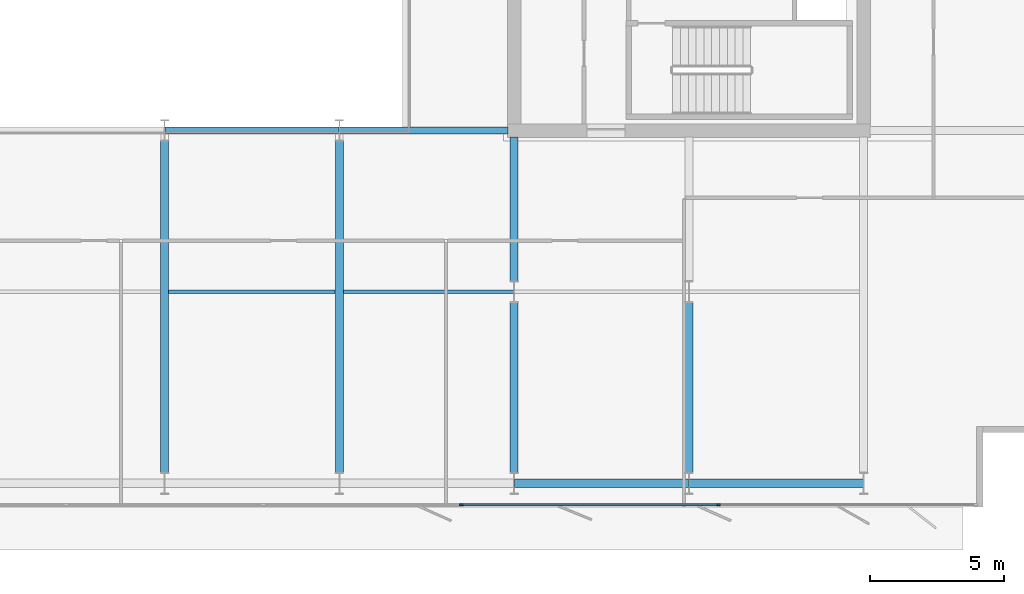
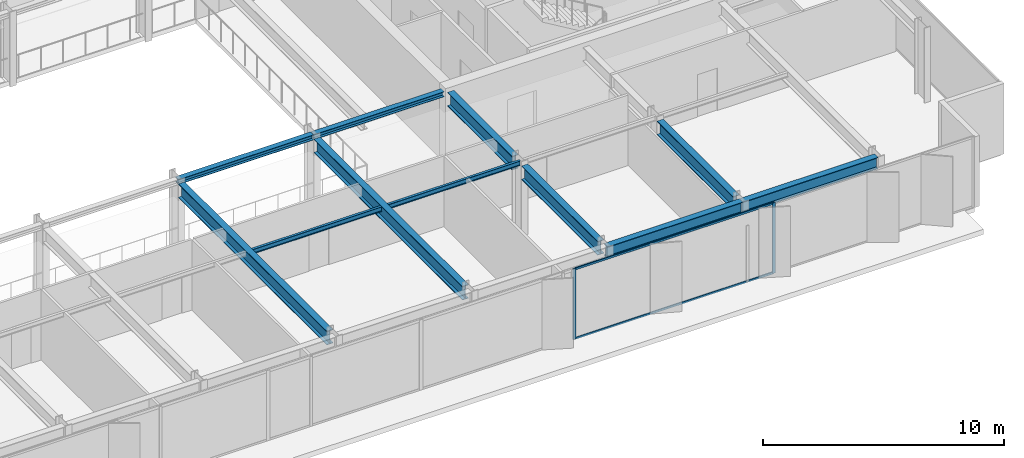
# One storey, part 7 of 23: 11 beams, 4 members, 1 element without a shape of its own.
"""IFC4 building model written with IfcOpenShell, lengths in metres."""

from ifc_helpers import new_model, si_unit, direction, frame, origin, origin_2d, place, context, subcontext, project, spatial, rectangle, i_section, extrude, material, layer, layer_set, material_profile, profile_set, type_object, element, aggregate, save


model = new_model("IFC4")

# Units and contexts
model_context = context("Model", 3, precision=1e-05, world=origin(), true_north=direction((0.0, 1.0)))
body_context = subcontext(model_context, "Body", "Model", "MODEL_VIEW")
ifc_project = project(units=[si_unit("LENGTHUNIT", "METRE"), si_unit("AREAUNIT", "SQUARE_METRE"), si_unit("VOLUMEUNIT", "CUBIC_METRE"), si_unit("PLANEANGLEUNIT", "RADIAN"), si_unit("MASSUNIT", "GRAM", prefix="KILO")], contexts=[model_context])

# Site, building, storey
site_placement = place(None, origin())
site = spatial("IfcSite", under=ifc_project, at=site_placement, CompositionType="ELEMENT")
building_placement = place(site_placement, origin())
building = spatial("IfcBuilding", under=site, at=building_placement, Name="Putna Gate Headquarters", CompositionType="ELEMENT")
storey_placement = place(building_placement, frame((0.0, 0.0, 202.39990234375)))
storey = spatial("IfcBuildingStorey", under=building, at=storey_placement, Name="L50", CompositionType="ELEMENT", Elevation=202.39990234375)

# Beams
ifc_material_1 = material(Name="Steel S355J2", Category="steel")
ifc_material_profile_1 = material_profile(ifc_material_1, i_section(OverallWidth=0.260009765625, OverallDepth=0.260009765625, WebThickness=0.010009765625, FlangeThickness=0.017578125, at=origin_2d()), Name="Steel S355J2")
ifc_profile_set_1 = profile_set([ifc_material_profile_1], Name="Steel S355J2")
beam_type_1 = type_object("IfcBeamType", Name="BM-ATRIUM-HEB260", PredefinedType="BEAM", material=ifc_profile_set_1)
beam_1_placement = place(storey_placement, frame((39.006103515625, 19.0, 3.4501953125), z_axis=(1.0, 0.0, 0.0), x_axis=(0.0, 1.0, 0.0)))
element("IfcBeam", 1, at=beam_1_placement, inside=storey, type_object=beam_type_1, Name="L50 Atrium Edge Beam AS3", PredefinedType="BEAM", context=body_context, shape_type="SweptSolid", body=[
    extrude(i_section(OverallWidth=0.260009765625, OverallDepth=0.260009765625, WebThickness=0.010009765625, FlangeThickness=0.017578125, at=origin_2d()), origin(), (0.0, 0.0, 1.0), 6.48779296875),
])
beam_2_placement = place(storey_placement, frame((45.506103515625, 19.0, 3.4501953125), z_axis=(1.0, 0.0, 0.0), x_axis=(0.0, 1.0, 0.0)))
element("IfcBeam", 2, at=beam_2_placement, inside=storey, type_object=beam_type_1, Name="L50 Atrium Edge Beam AS4", PredefinedType="BEAM", context=body_context, shape_type="SweptSolid", body=[
    extrude(i_section(OverallWidth=0.260009765625, OverallDepth=0.260009765625, WebThickness=0.010009765625, FlangeThickness=0.017578125, at=origin_2d()), origin(), (0.0, 0.0, 1.0), 6.2587890625),
])
ifc_material_profile_2 = material_profile(ifc_material_1, i_section(OverallWidth=0.300048828125, OverallDepth=0.699951171875, WebThickness=0.01708984375, FlangeThickness=0.031982421875, at=origin_2d()), Name="Steel S355J2")
ifc_profile_set_2 = profile_set([ifc_material_profile_2], Name="Steel S355J2")
beam_type_2 = type_object("IfcBeamType", Name="BM-GIRD-B-HEB700", PredefinedType="USERDEFINED", material=ifc_profile_set_2)
for number, where, z_axis, x_axis, name in (
    (3, (39.0, 6.27490234375, 3.22998046875), (0.0, 1.0, 0.0), (-1.0, 0.0, 0.0), "L50 South Primary Girder X39"),
    (4, (45.5, 6.27490234375, 3.22998046875), (0.0, 1.0, 0.0), (-1.0, 0.0, 0.0), "L50 South Primary Girder X45"),
):
    element("IfcBeam", number, at=place(storey_placement, frame(where, z_axis=z_axis, x_axis=x_axis)), inside=storey, type_object=beam_type_2, Name=name, ObjectType="GIRDER", PredefinedType="USERDEFINED", context=body_context, shape_type="SweptSolid", body=[
        extrude(i_section(OverallWidth=0.300048828125, OverallDepth=0.699951171875, WebThickness=0.01708984375, FlangeThickness=0.031982421875, at=origin_2d()), origin(), (0.0, 0.0, 1.0), 12.330078125),
    ])
beam_3_placement = place(storey_placement, frame((52.0, 6.27490234375, 3.22998046875), z_axis=(0.0, 1.0, 0.0), x_axis=(-1.0, 0.0, 0.0)))
element("IfcBeam", 5, at=beam_3_placement, inside=storey, type_object=beam_type_2, Name="L50 South Primary Girder X52-1", ObjectType="GIRDER", PredefinedType="USERDEFINED", context=body_context, shape_type="SweptSolid", body=[
    extrude(i_section(OverallWidth=0.300048828125, OverallDepth=0.699951171875, WebThickness=0.01708984375, FlangeThickness=0.031982421875, at=origin_2d()), origin(), (0.0, 0.0, 1.0), 6.330078125),
])
beam_4_placement = place(storey_placement, frame((52.0, 13.39501953125, 3.22998046875), z_axis=(0.0, 1.0, 0.0), x_axis=(-1.0, 0.0, 0.0)))
element("IfcBeam", 6, at=beam_4_placement, inside=storey, type_object=beam_type_2, Name="L50 South Primary Girder X52-2", ObjectType="GIRDER", PredefinedType="USERDEFINED", context=body_context, shape_type="SweptSolid", body=[
    extrude(i_section(OverallWidth=0.300048828125, OverallDepth=0.699951171875, WebThickness=0.01708984375, FlangeThickness=0.031982421875, at=origin_2d()), origin(), (0.0, 0.0, 1.0), 5.369873046875),
])
beam_5_placement = place(storey_placement, frame((58.5, 6.27490234375, 3.22998046875), z_axis=(0.0, 1.0, 0.0), x_axis=(-1.0, 0.0, 0.0)))
element("IfcBeam", 7, at=beam_5_placement, inside=storey, type_object=beam_type_2, Name="L50 South Primary Girder X58-1", ObjectType="GIRDER", PredefinedType="USERDEFINED", context=body_context, shape_type="SweptSolid", body=[
    extrude(i_section(OverallWidth=0.300048828125, OverallDepth=0.699951171875, WebThickness=0.01708984375, FlangeThickness=0.031982421875, at=origin_2d()), origin(), (0.0, 0.0, 1.0), 6.330078125),
])
ifc_material_profile_3 = material_profile(ifc_material_1, i_section(OverallWidth=0.1201171875, OverallDepth=0.239990234375, WebThickness=0.006103515625, FlangeThickness=0.009765625, at=origin_2d()), Name="Steel S355J2")
ifc_profile_set_3 = profile_set([ifc_material_profile_3], Name="Steel S355J2")
beam_type_3 = type_object("IfcBeamType", Name="BM-SEC-Z4-IPE240", PredefinedType="JOIST", material=ifc_profile_set_3)
beam_6_placement = place(storey_placement, frame((39.154052734375, 13.0, 3.460205078125), z_axis=(1.0, 0.0, 0.0), x_axis=(0.0, 1.0, 0.0)))
element("IfcBeam", 8, at=beam_6_placement, inside=storey, type_object=beam_type_3, Name="L50 South Secondary Beam 5", PredefinedType="JOIST", context=body_context, shape_type="SweptSolid", body=[
    extrude(i_section(OverallWidth=0.1201171875, OverallDepth=0.239990234375, WebThickness=0.006103515625, FlangeThickness=0.009765625, at=origin_2d()), origin(), (0.0, 0.0, 1.0), 6.19189453125),
])
beam_7_placement = place(storey_placement, frame((45.654052734375, 13.0, 3.460205078125), z_axis=(1.0, 0.0, 0.0), x_axis=(0.0, 1.0, 0.0)))
element("IfcBeam", 9, at=beam_7_placement, inside=storey, type_object=beam_type_3, Name="L50 South Secondary Beam 6", PredefinedType="JOIST", context=body_context, shape_type="SweptSolid", body=[
    extrude(i_section(OverallWidth=0.1201171875, OverallDepth=0.239990234375, WebThickness=0.006103515625, FlangeThickness=0.009765625, at=origin_2d()), origin(), (0.0, 0.0, 1.0), 6.33984375),
])
ifc_material_profile_4 = material_profile(ifc_material_1, i_section(OverallWidth=0.300048828125, OverallDepth=0.590087890625, WebThickness=0.012939453125, FlangeThickness=0.02490234375, at=origin_2d()), Name="Steel S355J2")
ifc_profile_set_4 = profile_set([ifc_material_profile_4], Name="Steel S355J2")
beam_type_4 = type_object("IfcBeamType", Name="BM-SPAN-Z4-HEA600", PredefinedType="SPANDREL", material=ifc_profile_set_4)
for number, where, z_axis, x_axis, name in (
    (10, (52.006103515625, 5.8798828125, 3.28515625), (1.0, 0.0, 0.0), (0.0, 1.0, 0.0), "L50 S Perimeter Spandrel 7"),
    (11, (58.506103515625, 5.8798828125, 3.28515625), (1.0, 0.0, 0.0), (0.0, 1.0, 0.0), "L50 S Perimeter Spandrel 8"),
):
    element("IfcBeam", number, at=place(storey_placement, frame(where, z_axis=z_axis, x_axis=x_axis)), inside=storey, type_object=beam_type_4, Name=name, PredefinedType="SPANDREL", context=body_context, shape_type="SweptSolid", body=[
        extrude(i_section(OverallWidth=0.300048828125, OverallDepth=0.590087890625, WebThickness=0.012939453125, FlangeThickness=0.02490234375, at=origin_2d()), origin(), (0.0, 0.0, 1.0), 6.48779296875),
    ])

# Curtain wall, members
ifc_material_2 = material(Name="Anodised bronze aluminium curtain wall", Category="aluminium")
ifc_layer = layer(ifc_material_2, 0.139892578125)
ifc_layer_set = layer_set([ifc_layer], Name="Anodised bronze aluminium curtain wall")
curtain_wall_type = type_object("IfcCurtainWallType", Name="CW-SYS-Z4", PredefinedType="USERDEFINED", material=ifc_layer_set)
curtain_wall_placement = place(storey_placement, origin())
curtain_wall = element("IfcCurtainWall", 12, at=curtain_wall_placement, inside=storey, type_object=curtain_wall_type, Name="L50 South East Curtain Wall", ObjectType="STICK CURTAIN WALL", PredefinedType="USERDEFINED")
ifc_material_3 = material(Name="Anodised bronze aluminium EN AW-6060", Category="aluminium")
ifc_material_profile_5 = material_profile(ifc_material_3, rectangle(XDim=0.06005859375, YDim=0.139892578125, at=origin_2d()), Name="Anodised bronze aluminium EN AW-6060")
ifc_profile_set_5 = profile_set([ifc_material_profile_5], Name="Anodised bronze aluminium EN AW-6060")
member_type_1 = type_object("IfcMemberType", Name="MULL-CWM-4", PredefinedType="MULLION", material=ifc_profile_set_5)
member_1_placement = place(storey_placement, frame((50.030029296875, 5.080078125, 0.0), z_axis=(0.0, 0.0, 1.0), x_axis=(0.0, 1.0, 0.0)))
member_1 = element("IfcMember", 13, at=member_1_placement, type_object=member_type_1, Name="CWS-4 mullion 1", PredefinedType="MULLION", context=body_context, shape_type="SweptSolid", body=[
    extrude(rectangle(XDim=0.06005859375, YDim=0.139892578125, at=origin_2d()), origin(), (0.0, 0.0, 1.0), 3.580078125),
])
member_2_placement = place(storey_placement, frame((59.60009765625, 5.080078125, 0.0), z_axis=(0.0, 0.0, 1.0), x_axis=(0.0, 1.0, 0.0)))
member_2 = element("IfcMember", 14, at=member_2_placement, type_object=member_type_1, Name="CWS-4 mullion 2", PredefinedType="MULLION", context=body_context, shape_type="SweptSolid", body=[
    extrude(rectangle(XDim=0.06005859375, YDim=0.139892578125, at=origin_2d()), origin(), (0.0, 0.0, 1.0), 3.580078125),
])
ifc_material_profile_6 = material_profile(ifc_material_3, rectangle(XDim=0.06005859375, YDim=0.10009765625, at=origin_2d()), Name="Anodised bronze aluminium EN AW-6060")
ifc_profile_set_6 = profile_set([ifc_material_profile_6], Name="Anodised bronze aluminium EN AW-6060")
member_type_2 = type_object("IfcMemberType", Name="TRAN-CWT-4", PredefinedType="USERDEFINED", material=ifc_profile_set_6)
member_3_placement = place(storey_placement, frame((50.06005859375, 5.080078125, 0.030029296875), z_axis=(1.0, 0.0, 0.0), x_axis=(0.0, 1.0, 0.0)))
member_3 = element("IfcMember", 15, at=member_3_placement, type_object=member_type_2, Name="CWS-4 transom 1.1", ObjectType="TRANSOM", PredefinedType="USERDEFINED", context=body_context, shape_type="SweptSolid", body=[
    extrude(rectangle(XDim=0.06005859375, YDim=0.10009765625, at=origin_2d()), origin(), (0.0, 0.0, 1.0), 9.510009765625),
])
member_4_placement = place(storey_placement, frame((50.06005859375, 5.080078125, 3.550048828125), z_axis=(1.0, 0.0, 0.0), x_axis=(0.0, 1.0, 0.0)))
member_4 = element("IfcMember", 16, at=member_4_placement, type_object=member_type_2, Name="CWS-4 transom 1.2", ObjectType="TRANSOM", PredefinedType="USERDEFINED", context=body_context, shape_type="SweptSolid", body=[
    extrude(rectangle(XDim=0.06005859375, YDim=0.10009765625, at=origin_2d()), origin(), (0.0, 0.0, 1.0), 9.510009765625),
])
aggregate(curtain_wall, [member_1, member_2, member_3, member_4])

save(model, "model.ifc")
